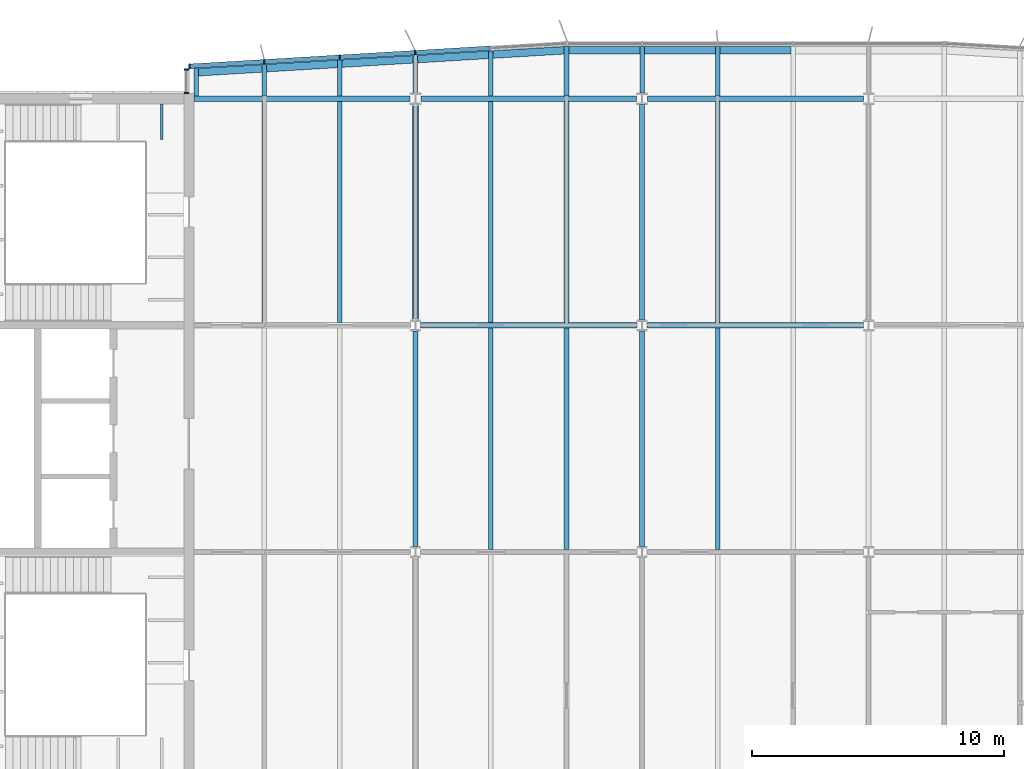
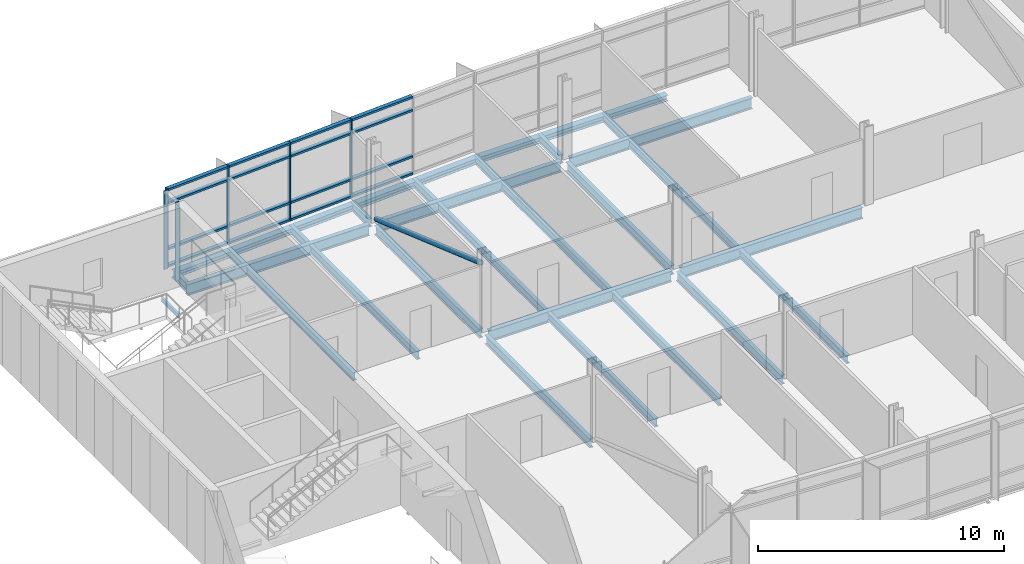
# One storey, part 4 of 17: 34 beams, 23 members, 2 elements without a shape of their own.
"""IFC4 building model written with IfcOpenShell, lengths in metres."""

from ifc_helpers import new_model, si_unit, direction, frame, origin, origin_2d, place, context, subcontext, project, spatial, rectangle, hollow_circle, i_section, extrude, material, material_profile, profile_set, type_object, element, aggregate, save


model = new_model("IFC4")

# Units and contexts
model_context = context("Model", 3, precision=1e-05, world=origin(), true_north=direction((0.0, 1.0)))
body_context = subcontext(model_context, "Body", "Model", "MODEL_VIEW")
ifc_project = project(units=[si_unit("LENGTHUNIT", "METRE"), si_unit("AREAUNIT", "SQUARE_METRE"), si_unit("VOLUMEUNIT", "CUBIC_METRE"), si_unit("PLANEANGLEUNIT", "RADIAN"), si_unit("MASSUNIT", "GRAM", prefix="KILO")], contexts=[model_context])

# Site, building, storey
site_placement = place(None, origin())
site = spatial("IfcSite", under=ifc_project, at=site_placement, CompositionType="ELEMENT")
building_placement = place(site_placement, origin())
building = spatial("IfcBuilding", under=site, at=building_placement, Name="Azimuth Sports and Learning Centre", CompositionType="ELEMENT")
storey_placement = place(building_placement, frame((0.0, 0.0, 36.300048828125)))
storey = spatial("IfcBuildingStorey", under=building, at=storey_placement, Name="L07", CompositionType="ELEMENT", Elevation=36.300048828125)

# Beams
ifc_material_1 = material(Name="Steel S355", Category="steel")
ifc_material_profile_1 = material_profile(ifc_material_1, i_section(OverallWidth=0.10009765625, OverallDepth=0.199951171875, WebThickness=0.005615234375, FlangeThickness=0.008544921875, FilletRadius=0.011962890625, at=origin_2d()), Name="IPE 200")
ifc_profile_set_1 = profile_set([ifc_material_profile_1], Name="Steel S355")
beam_type_1 = type_object("IfcBeamType", Name="Beam IPE 200", PredefinedType="BEAM", material=ifc_profile_set_1)
beam_1_placement = place(storey_placement, frame((61.9267578125, 116.800048828125, -0.300048828125), z_axis=(0.0, -1.0, 0.0), x_axis=(1.0, 0.0, 0.0)))
element("IfcBeam", 1, at=beam_1_placement, inside=storey, type_object=beam_type_1, Name="Landing bracket W2 L07 249", PredefinedType="BEAM", context=body_context, shape_type="SweptSolid", body=[
    extrude(i_section(OverallWidth=0.10009765625, OverallDepth=0.199951171875, WebThickness=0.005615234375, FlangeThickness=0.008544921875, FilletRadius=0.011962890625, at=origin_2d()), origin(), (0.0, 0.0, 1.0), 1.41015625),
])
ifc_material_2 = material(Name="Steel S355", Category="steel")
ifc_material_profile_2 = material_profile(ifc_material_2, i_section(OverallWidth=0.18994140625, OverallDepth=0.449951171875, WebThickness=0.009521484375, FlangeThickness=0.0146484375, FilletRadius=0.02099609375, at=origin_2d()), Name="IPE 450")
ifc_profile_set_2 = profile_set([ifc_material_profile_2], Name="Steel S355")
beam_type_2 = type_object("IfcBeamType", Name="Beam IPE 450", PredefinedType="BEAM", material=ifc_profile_set_2)
beam_2_placement = place(storey_placement, frame((72.0, 99.217529296875, -0.35498046875), z_axis=(0.0, 1.0, 0.0), x_axis=(-1.0, 0.0, 0.0)))
element("IfcBeam", 2, at=beam_2_placement, inside=storey, type_object=beam_type_2, Name="Tower tie", PredefinedType="BEAM", context=body_context, shape_type="SweptSolid", body=[
    extrude(i_section(OverallWidth=0.18994140625, OverallDepth=0.449951171875, WebThickness=0.009521484375, FlangeThickness=0.0146484375, FilletRadius=0.02099609375, at=origin_2d()), origin(), (0.0, 0.0, 1.0), 8.56494140625),
])
beam_3_placement = place(storey_placement, frame((72.0, 108.217529296875, -0.35498046875), z_axis=(0.0, 1.0, 0.0), x_axis=(-1.0, 0.0, 0.0)))
element("IfcBeam", 3, at=beam_3_placement, inside=storey, type_object=beam_type_2, Name="Tower tie", PredefinedType="BEAM", context=body_context, shape_type="SweptSolid", body=[
    extrude(i_section(OverallWidth=0.18994140625, OverallDepth=0.449951171875, WebThickness=0.009521484375, FlangeThickness=0.0146484375, FilletRadius=0.02099609375, at=origin_2d()), origin(), (0.0, 0.0, 1.0), 8.54541015625),
])
beam_4_placement = place(storey_placement, frame((81.0, 99.217529296875, -0.35498046875), z_axis=(0.0, 1.0, 0.0), x_axis=(-1.0, 0.0, 0.0)))
element("IfcBeam", 4, at=beam_4_placement, inside=storey, type_object=beam_type_2, Name="Tower tie", PredefinedType="BEAM", context=body_context, shape_type="SweptSolid", body=[
    extrude(i_section(OverallWidth=0.18994140625, OverallDepth=0.449951171875, WebThickness=0.009521484375, FlangeThickness=0.0146484375, FilletRadius=0.02099609375, at=origin_2d()), origin(), (0.0, 0.0, 1.0), 8.56494140625),
])
beam_5_placement = place(storey_placement, frame((81.0, 108.217529296875, -0.35498046875), z_axis=(0.0, 1.0, 0.0), x_axis=(-1.0, 0.0, 0.0)))
element("IfcBeam", 5, at=beam_5_placement, inside=storey, type_object=beam_type_2, Name="Tower tie", PredefinedType="BEAM", context=body_context, shape_type="SweptSolid", body=[
    extrude(i_section(OverallWidth=0.18994140625, OverallDepth=0.449951171875, WebThickness=0.009521484375, FlangeThickness=0.0146484375, FilletRadius=0.02099609375, at=origin_2d()), origin(), (0.0, 0.0, 1.0), 8.54541015625),
])
ifc_material_3 = material(Name="Steel S355", Category="steel")
ifc_material_profile_3 = material_profile(ifc_material_3, i_section(OverallWidth=0.2099609375, OverallDepth=0.550048828125, WebThickness=0.010986328125, FlangeThickness=0.01708984375, FilletRadius=0.02392578125, at=origin_2d()), Name="IPE 550")
ifc_profile_set_3 = profile_set([ifc_material_profile_3], Name="Steel S355")
beam_type_3 = type_object("IfcBeamType", Name="Beam IPE 550", PredefinedType="BEAM", material=ifc_profile_set_3)
for number, where, z_axis, x_axis, name in (
    (6, (72.2060546875, 108.0, -0.405029296875), (1.0, 0.0, 0.0), (0.0, 1.0, 0.0), "Tower girder L07"),
    (7, (81.2060546875, 108.0, -0.405029296875), (1.0, 0.0, 0.0), (0.0, 1.0, 0.0), "Tower girder L07"),
):
    element("IfcBeam", number, at=place(storey_placement, frame(where, z_axis=z_axis, x_axis=x_axis)), inside=storey, type_object=beam_type_3, Name=name, PredefinedType="BEAM", context=body_context, shape_type="SweptSolid", body=[
        extrude(i_section(OverallWidth=0.2099609375, OverallDepth=0.550048828125, WebThickness=0.010986328125, FlangeThickness=0.01708984375, FilletRadius=0.02392578125, at=origin_2d()), origin(), (0.0, 0.0, 1.0), 8.587890625),
    ])
beam_6_placement = place(storey_placement, frame((63.199951171875, 117.0, -0.405029296875), z_axis=(1.0, 0.0, 0.0), x_axis=(0.0, 1.0, 0.0)))
element("IfcBeam", 8, at=beam_6_placement, inside=storey, type_object=beam_type_3, Name="Tower girder L07", PredefinedType="BEAM", context=body_context, shape_type="SweptSolid", body=[
    extrude(i_section(OverallWidth=0.2099609375, OverallDepth=0.550048828125, WebThickness=0.010986328125, FlangeThickness=0.01708984375, FilletRadius=0.02392578125, at=origin_2d()), origin(), (0.0, 0.0, 1.0), 8.588134765625),
])
for number, where, z_axis, x_axis, name in (
    (9, (72.2119140625, 117.0, -0.405029296875), (1.0, 0.0, 0.0), (0.0, 1.0, 0.0), "Tower girder L07"),
    (10, (81.2119140625, 117.0, -0.405029296875), (1.0, 0.0, 0.0), (0.0, 1.0, 0.0), "Tower girder L07"),
):
    element("IfcBeam", number, at=place(storey_placement, frame(where, z_axis=z_axis, x_axis=x_axis)), inside=storey, type_object=beam_type_3, Name=name, PredefinedType="BEAM", context=body_context, shape_type="SweptSolid", body=[
        extrude(i_section(OverallWidth=0.2099609375, OverallDepth=0.550048828125, WebThickness=0.010986328125, FlangeThickness=0.01708984375, FilletRadius=0.02392578125, at=origin_2d()), origin(), (0.0, 0.0, 1.0), 8.576171875),
    ])

# Member
ifc_material_4 = material(Name="Steel S355", Category="steel")
ifc_material_profile_4 = material_profile(ifc_material_4, hollow_circle(Radius=0.122314453125, WallThickness=0.012451171875, at=origin_2d()), Name="CHS 244.5x12.5")
ifc_profile_set_4 = profile_set([ifc_material_profile_4], Name="Steel S355")
member_type_1 = type_object("IfcMemberType", Name="Brace CHS 244.5x12.5", PredefinedType="BRACE", material=ifc_profile_set_4)
member_1_placement = place(storey_placement, frame((72.0, 108.238037109375, 3.150634765625), z_axis=(0.0, 0.943699867633, -0.330802901785), x_axis=(-1.0, 0.0, 0.0)))
element("IfcMember", 11, at=member_1_placement, inside=storey, type_object=member_type_1, Name="Tower brace 9 L07", PredefinedType="BRACE", context=body_context, shape_type="SweptSolid", body=[
    extrude(hollow_circle(Radius=0.122314453125, WallThickness=0.012451171875, at=origin_2d()), origin(), (0.0, 0.0, 1.0), 9.011962890625),
])

# Beams
ifc_material_5 = material(Name="Steel S355", Category="steel")
ifc_material_profile_5 = material_profile(ifc_material_5, i_section(OverallWidth=0.179931640625, OverallDepth=0.39990234375, WebThickness=0.008544921875, FlangeThickness=0.013427734375, FilletRadius=0.02099609375, at=origin_2d()), Name="IPE 400")
ifc_profile_set_5 = profile_set([ifc_material_profile_5], Name="Steel S355")
beam_type_4 = type_object("IfcBeamType", Name="Cantilever stub IPE 400", PredefinedType="JOIST", material=ifc_profile_set_5)
beam_7_placement = place(storey_placement, frame((63.2900390625, 117.10498046875, -0.330078125), z_axis=(0.0, 1.0, 0.0), x_axis=(-1.0, 0.0, 0.0)))
element("IfcBeam", 12, at=beam_7_placement, inside=storey, type_object=beam_type_4, Name="Tower cantilever stub", PredefinedType="JOIST", context=body_context, shape_type="SweptSolid", body=[
    extrude(i_section(OverallWidth=0.179931640625, OverallDepth=0.39990234375, WebThickness=0.008544921875, FlangeThickness=0.013427734375, FilletRadius=0.02099609375, at=origin_2d()), origin(), (0.0, 0.0, 1.0), 1.092529296875),
])
beam_8_placement = place(storey_placement, frame((66.0, 117.10498046875, -0.330078125), z_axis=(0.0, 1.0, 0.0), x_axis=(-1.0, 0.0, 0.0)))
element("IfcBeam", 13, at=beam_8_placement, inside=storey, type_object=beam_type_4, Name="Tower cantilever stub", PredefinedType="JOIST", context=body_context, shape_type="SweptSolid", body=[
    extrude(i_section(OverallWidth=0.179931640625, OverallDepth=0.39990234375, WebThickness=0.008544921875, FlangeThickness=0.013427734375, FilletRadius=0.02099609375, at=origin_2d()), origin(), (0.0, 0.0, 1.0), 1.255126953125),
])
beam_9_placement = place(storey_placement, frame((69.0, 117.10498046875, -0.330078125), z_axis=(0.0, 1.0, 0.0), x_axis=(-1.0, 0.0, 0.0)))
element("IfcBeam", 14, at=beam_9_placement, inside=storey, type_object=beam_type_4, Name="Tower cantilever stub", PredefinedType="JOIST", context=body_context, shape_type="SweptSolid", body=[
    extrude(i_section(OverallWidth=0.179931640625, OverallDepth=0.39990234375, WebThickness=0.008544921875, FlangeThickness=0.013427734375, FilletRadius=0.02099609375, at=origin_2d()), origin(), (0.0, 0.0, 1.0), 1.43505859375),
])
beam_10_placement = place(storey_placement, frame((72.0, 117.237060546875, -0.330078125), z_axis=(0.0, 1.0, 0.0), x_axis=(-1.0, 0.0, 0.0)))
element("IfcBeam", 15, at=beam_10_placement, inside=storey, type_object=beam_type_4, Name="Tower cantilever stub", PredefinedType="JOIST", context=body_context, shape_type="SweptSolid", body=[
    extrude(i_section(OverallWidth=0.179931640625, OverallDepth=0.39990234375, WebThickness=0.008544921875, FlangeThickness=0.013427734375, FilletRadius=0.02099609375, at=origin_2d()), origin(), (0.0, 0.0, 1.0), 1.48291015625),
])
beam_11_placement = place(storey_placement, frame((75.0, 117.10498046875, -0.330078125), z_axis=(0.0, 1.0, 0.0), x_axis=(-1.0, 0.0, 0.0)))
element("IfcBeam", 16, at=beam_11_placement, inside=storey, type_object=beam_type_4, Name="Tower cantilever stub", PredefinedType="JOIST", context=body_context, shape_type="SweptSolid", body=[
    extrude(i_section(OverallWidth=0.179931640625, OverallDepth=0.39990234375, WebThickness=0.008544921875, FlangeThickness=0.013427734375, FilletRadius=0.02099609375, at=origin_2d()), origin(), (0.0, 0.0, 1.0), 1.794921875),
])
beam_12_placement = place(storey_placement, frame((78.0, 117.10498046875, -0.330078125), z_axis=(0.0, 1.0, 0.0), x_axis=(-1.0, 0.0, 0.0)))
element("IfcBeam", 17, at=beam_12_placement, inside=storey, type_object=beam_type_4, Name="Tower cantilever stub", PredefinedType="JOIST", context=body_context, shape_type="SweptSolid", body=[
    extrude(i_section(OverallWidth=0.179931640625, OverallDepth=0.39990234375, WebThickness=0.008544921875, FlangeThickness=0.013427734375, FilletRadius=0.02099609375, at=origin_2d()), origin(), (0.0, 0.0, 1.0), 1.97509765625),
])
beam_13_placement = place(storey_placement, frame((81.0, 117.237060546875, -0.330078125), z_axis=(0.0, 1.0, 0.0), x_axis=(-1.0, 0.0, 0.0)))
element("IfcBeam", 18, at=beam_13_placement, inside=storey, type_object=beam_type_4, Name="Tower cantilever stub", PredefinedType="JOIST", context=body_context, shape_type="SweptSolid", body=[
    extrude(i_section(OverallWidth=0.179931640625, OverallDepth=0.39990234375, WebThickness=0.008544921875, FlangeThickness=0.013427734375, FilletRadius=0.02099609375, at=origin_2d()), origin(), (0.0, 0.0, 1.0), 1.843017578125),
])
beam_14_placement = place(storey_placement, frame((84.0, 117.10498046875, -0.330078125), z_axis=(0.0, 1.0, 0.0), x_axis=(-1.0, 0.0, 0.0)))
element("IfcBeam", 19, at=beam_14_placement, inside=storey, type_object=beam_type_4, Name="Tower cantilever stub", PredefinedType="JOIST", context=body_context, shape_type="SweptSolid", body=[
    extrude(i_section(OverallWidth=0.179931640625, OverallDepth=0.39990234375, WebThickness=0.008544921875, FlangeThickness=0.013427734375, FilletRadius=0.02099609375, at=origin_2d()), origin(), (0.0, 0.0, 1.0), 1.97509765625),
])
ifc_material_6 = material(Name="Steel S355", Category="steel")
ifc_material_profile_6 = material_profile(ifc_material_6, i_section(OverallWidth=0.300048828125, OverallDepth=0.2900390625, WebThickness=0.008544921875, FlangeThickness=0.013916015625, FilletRadius=0.027099609375, at=origin_2d()), Name="HEA 300")
ifc_profile_set_6 = profile_set([ifc_material_profile_6], Name="Steel S355")
beam_type_5 = type_object("IfcBeamType", Name="Edge beam HEA 300", PredefinedType="SPANDREL", material=ifc_profile_set_6)
beam_15_placement = place(storey_placement, frame((63.3798828125, 118.052734375, -0.275146484375), z_axis=(0.998203578329, 0.059913405937, 0.0), x_axis=(-0.059913405937, 0.998203578329, 0.0)))
element("IfcBeam", 20, at=beam_15_placement, inside=storey, type_object=beam_type_5, Name="Tower edge beam", PredefinedType="SPANDREL", context=body_context, shape_type="SweptSolid", body=[
    extrude(i_section(OverallWidth=0.300048828125, OverallDepth=0.2900390625, WebThickness=0.008544921875, FlangeThickness=0.013916015625, FilletRadius=0.027099609375, at=origin_2d()), origin(), (0.0, 0.0, 1.0), 2.53466796875),
])
for number, where, z_axis, x_axis, name in (
    (21, (66.090087890625, 118.21533203125, -0.275146484375), (0.998204845466, 0.059892290728, 0.0), (-0.059892290728, 0.998204845466, 0.0), "Tower edge beam"),
    (22, (69.090087890625, 118.3955078125, -0.275146484375), (0.998204845466, 0.059892290728, 0.0), (-0.059892290728, 0.998204845466, 0.0), "Tower edge beam"),
    (23, (72.090087890625, 118.575439453125, -0.275146484375), (0.998204845466, 0.059892290728, 0.0), (-0.059892290728, 0.998204845466, 0.0), "Tower edge beam"),
    (24, (75.090087890625, 118.75537109375, -0.275146484375), (0.998204845466, 0.059892290728, 0.0), (-0.059892290728, 0.998204845466, 0.0), "Tower edge beam"),
):
    element("IfcBeam", number, at=place(storey_placement, frame(where, z_axis=z_axis, x_axis=x_axis)), inside=storey, type_object=beam_type_5, Name=name, PredefinedType="SPANDREL", context=body_context, shape_type="SweptSolid", body=[
        extrude(i_section(OverallWidth=0.300048828125, OverallDepth=0.2900390625, WebThickness=0.008544921875, FlangeThickness=0.013916015625, FilletRadius=0.027099609375, at=origin_2d()), origin(), (0.0, 0.0, 1.0), 2.824951171875),
    ])
for number, where, z_axis, x_axis, name in (
    (25, (78.090087890625, 118.929931640625, -0.275146484375), (1.0, 0.0, 0.0), (0.0, 1.0, 0.0), "Tower edge beam"),
    (26, (81.090087890625, 118.929931640625, -0.275146484375), (1.0, 0.0, 0.0), (0.0, 1.0, 0.0), "Tower edge beam"),
    (27, (84.090087890625, 118.929931640625, -0.275146484375), (1.0, 0.0, 0.0), (0.0, 1.0, 0.0), "Tower edge beam"),
):
    element("IfcBeam", number, at=place(storey_placement, frame(where, z_axis=z_axis, x_axis=x_axis)), inside=storey, type_object=beam_type_5, Name=name, PredefinedType="SPANDREL", context=body_context, shape_type="SweptSolid", body=[
        extrude(i_section(OverallWidth=0.300048828125, OverallDepth=0.2900390625, WebThickness=0.008544921875, FlangeThickness=0.013916015625, FilletRadius=0.027099609375, at=origin_2d()), origin(), (0.0, 0.0, 1.0), 2.81982421875),
    ])
ifc_material_7 = material(Name="Steel S355", Category="steel")
ifc_material_profile_7 = material_profile(ifc_material_7, i_section(OverallWidth=0.179931640625, OverallDepth=0.39990234375, WebThickness=0.008544921875, FlangeThickness=0.013427734375, FilletRadius=0.02099609375, at=origin_2d()), Name="IPE 400")
ifc_profile_set_7 = profile_set([ifc_material_profile_7], Name="Steel S355")
beam_type_6 = type_object("IfcBeamType", Name="Joist IPE 400", PredefinedType="JOIST", material=ifc_profile_set_7)
for number, where, z_axis, x_axis, name in (
    (28, (66.0, 108.10498046875, -0.330078125), (0.0, 1.0, 0.0), (-1.0, 0.0, 0.0), "Tower joist"),
    (29, (69.0, 108.10498046875, -0.330078125), (0.0, 1.0, 0.0), (-1.0, 0.0, 0.0), "Tower joist"),
    (30, (75.0, 99.10498046875, -0.330078125), (0.0, 1.0, 0.0), (-1.0, 0.0, 0.0), "Tower joist"),
    (31, (75.0, 108.10498046875, -0.330078125), (0.0, 1.0, 0.0), (-1.0, 0.0, 0.0), "Tower joist"),
    (32, (78.0, 99.10498046875, -0.330078125), (0.0, 1.0, 0.0), (-1.0, 0.0, 0.0), "Tower joist"),
    (33, (78.0, 108.10498046875, -0.330078125), (0.0, 1.0, 0.0), (-1.0, 0.0, 0.0), "Tower joist"),
    (34, (84.0, 99.10498046875, -0.330078125), (0.0, 1.0, 0.0), (-1.0, 0.0, 0.0), "Tower joist"),
    (35, (84.0, 108.10498046875, -0.330078125), (0.0, 1.0, 0.0), (-1.0, 0.0, 0.0), "Tower joist"),
):
    element("IfcBeam", number, at=place(storey_placement, frame(where, z_axis=z_axis, x_axis=x_axis)), inside=storey, type_object=beam_type_6, Name=name, PredefinedType="JOIST", context=body_context, shape_type="SweptSolid", body=[
        extrude(i_section(OverallWidth=0.179931640625, OverallDepth=0.39990234375, WebThickness=0.008544921875, FlangeThickness=0.013427734375, FilletRadius=0.02099609375, at=origin_2d()), origin(), (0.0, 0.0, 1.0), 8.7900390625),
    ])

# Curtain wall, members
ifc_material_8 = material(Name="Aluminium and glass", Category="aluminium")
curtain_wall_type_1 = type_object("IfcCurtainWallType", Name="Curtain wall tower north 180", PredefinedType="NOTDEFINED", material=ifc_material_8)
curtain_wall_1_placement = place(storey_placement, origin())
curtain_wall_1 = element("IfcCurtainWall", 36, at=curtain_wall_1_placement, inside=storey, type_object=curtain_wall_type_1, Name="Curtain wall CW07-009", PredefinedType="NOTDEFINED")
ifc_material_9 = material(Name="Aluminium", Category="aluminium")
ifc_material_profile_8 = material_profile(ifc_material_9, rectangle(XDim=0.179931640625, YDim=0.06005859375, at=origin_2d()), Name="Mullion 60x180")
ifc_profile_set_8 = profile_set([ifc_material_profile_8], Name="Aluminium")
member_type_2 = type_object("IfcMemberType", Name="Mullion 60x180", PredefinedType="MULLION", material=ifc_profile_set_8)
member_2_placement = place(storey_placement, frame((71.99462890625, 118.829833984375, 0.0), z_axis=(0.0, 0.0, 1.0), x_axis=(0.059891991812, -0.998204863401, 0.0)))
member_2 = element("IfcMember", 37, at=member_2_placement, type_object=member_type_2, Name="CW07-009 mullion 3", PredefinedType="MULLION", context=body_context, shape_type="SweptSolid", body=[
    extrude(rectangle(XDim=0.179931640625, YDim=0.06005859375, at=origin_2d()), origin(), (0.0, 0.0, 1.0), 3.89990234375),
])
member_3_placement = place(storey_placement, frame((68.99462890625, 118.64990234375, 0.0), z_axis=(0.0, 0.0, 1.0), x_axis=(0.059891991812, -0.998204863401, 0.0)))
member_3 = element("IfcMember", 38, at=member_3_placement, type_object=member_type_2, Name="CW07-009 mullion 4", PredefinedType="MULLION", context=body_context, shape_type="SweptSolid", body=[
    extrude(rectangle(XDim=0.179931640625, YDim=0.06005859375, at=origin_2d()), origin(), (0.0, 0.0, 1.0), 3.89990234375),
])
member_4_placement = place(storey_placement, frame((65.99462890625, 118.4697265625, 0.0), z_axis=(0.0, 0.0, 1.0), x_axis=(0.059891991812, -0.998204863401, 0.0)))
member_4 = element("IfcMember", 39, at=member_4_placement, type_object=member_type_2, Name="CW07-009 mullion 5", PredefinedType="MULLION", context=body_context, shape_type="SweptSolid", body=[
    extrude(rectangle(XDim=0.179931640625, YDim=0.06005859375, at=origin_2d()), origin(), (0.0, 0.0, 1.0), 3.89990234375),
])
member_5_placement = place(storey_placement, frame((63.024658203125, 118.291748046875, 0.0), z_axis=(0.0, 0.0, 1.0), x_axis=(0.059891991812, -0.998204863401, 0.0)))
member_5 = element("IfcMember", 40, at=member_5_placement, type_object=member_type_2, Name="CW07-009 mullion 6", PredefinedType="MULLION", context=body_context, shape_type="SweptSolid", body=[
    extrude(rectangle(XDim=0.179931640625, YDim=0.06005859375, at=origin_2d()), origin(), (0.0, 0.0, 1.0), 3.89990234375),
])

ifc_material_10 = material(Name="Aluminium and glass", Category="aluminium")
curtain_wall_type_2 = type_object("IfcCurtainWallType", Name="Curtain wall tower return 180", PredefinedType="NOTDEFINED", material=ifc_material_10)
curtain_wall_2_placement = place(storey_placement, origin())
curtain_wall_2 = element("IfcCurtainWall", 41, at=curtain_wall_2_placement, inside=storey, type_object=curtain_wall_type_2, Name="Curtain wall CW07-010", PredefinedType="NOTDEFINED")
member_6_placement = place(storey_placement, frame((62.909912109375, 118.169921875, 0.0), z_axis=(0.0, 0.0, 1.0), x_axis=(1.0, 0.0, 0.0)))
member_6 = element("IfcMember", 42, at=member_6_placement, type_object=member_type_2, Name="CW07-010 mullion 1", PredefinedType="MULLION", context=body_context, shape_type="SweptSolid", body=[
    extrude(rectangle(XDim=0.179931640625, YDim=0.06005859375, at=origin_2d()), origin(), (0.0, 0.0, 1.0), 3.89990234375),
])
member_7_placement = place(storey_placement, frame((62.909912109375, 117.22998046875, 0.0), z_axis=(0.0, 0.0, 1.0), x_axis=(1.0, 0.0, 0.0)))
member_7 = element("IfcMember", 43, at=member_7_placement, type_object=member_type_2, Name="CW07-010 mullion 2", PredefinedType="MULLION", context=body_context, shape_type="SweptSolid", body=[
    extrude(rectangle(XDim=0.179931640625, YDim=0.06005859375, at=origin_2d()), origin(), (0.0, 0.0, 1.0), 3.89990234375),
])
aggregate(curtain_wall_2, [member_6, member_7])

# Member
ifc_material_11 = material(Name="Aluminium", Category="aluminium")
ifc_material_profile_9 = material_profile(ifc_material_11, rectangle(XDim=0.179931640625, YDim=0.10009765625, at=origin_2d()), Name="Transom 100x180")
ifc_profile_set_9 = profile_set([ifc_material_profile_9], Name="Aluminium")
member_type_3 = type_object("IfcMemberType", Name="Transom 100x180", PredefinedType="USERDEFINED", material=ifc_profile_set_9)
member_8_placement = place(storey_placement, frame((74.964599609375, 119.008056640625, 0.050048828125), z_axis=(-0.998202465912, -0.059931936792, 0.0), x_axis=(0.059931936792, -0.998202465912, 0.0)))
member_8 = element("IfcMember", 44, at=member_8_placement, type_object=member_type_3, Name="CW07-009 transom 2.1", ObjectType="TRANSOM", PredefinedType="USERDEFINED", context=body_context, shape_type="SweptSolid", body=[
    extrude(rectangle(XDim=0.179931640625, YDim=0.10009765625, at=origin_2d()), origin(), (0.0, 0.0, 1.0), 2.9453125),
])

member_9_placement = place(storey_placement, frame((74.964599609375, 119.008056640625, 0.89990234375), z_axis=(-0.998202465912, -0.059931936792, 0.0), x_axis=(0.059931936792, -0.998202465912, 0.0)))
member_9 = element("IfcMember", 45, at=member_9_placement, type_object=member_type_3, Name="CW07-009 transom 2.2", ObjectType="TRANSOM", PredefinedType="USERDEFINED", context=body_context, shape_type="SweptSolid", body=[
    extrude(rectangle(XDim=0.179931640625, YDim=0.10009765625, at=origin_2d()), origin(), (0.0, 0.0, 1.0), 2.9453125),
])

member_10_placement = place(storey_placement, frame((74.964599609375, 119.008056640625, 3.199951171875), z_axis=(-0.998202465912, -0.059931936792, 0.0), x_axis=(0.059931936792, -0.998202465912, 0.0)))
member_10 = element("IfcMember", 46, at=member_10_placement, type_object=member_type_3, Name="CW07-009 transom 2.3", ObjectType="TRANSOM", PredefinedType="USERDEFINED", context=body_context, shape_type="SweptSolid", body=[
    extrude(rectangle(XDim=0.179931640625, YDim=0.10009765625, at=origin_2d()), origin(), (0.0, 0.0, 1.0), 2.9453125),
])

member_11_placement = place(storey_placement, frame((74.964599609375, 119.008056640625, 3.849853515625), z_axis=(-0.998202465912, -0.059931936792, 0.0), x_axis=(0.059931936792, -0.998202465912, 0.0)))
member_11 = element("IfcMember", 47, at=member_11_placement, type_object=member_type_3, Name="CW07-009 transom 2.4", ObjectType="TRANSOM", PredefinedType="USERDEFINED", context=body_context, shape_type="SweptSolid", body=[
    extrude(rectangle(XDim=0.179931640625, YDim=0.10009765625, at=origin_2d()), origin(), (0.0, 0.0, 1.0), 2.9453125),
])

member_12_placement = place(storey_placement, frame((71.964599609375, 118.828125, 0.050048828125), z_axis=(-0.998202465912, -0.059931936792, 0.0), x_axis=(0.059931936792, -0.998202465912, 0.0)))
member_12 = element("IfcMember", 48, at=member_12_placement, type_object=member_type_3, Name="CW07-009 transom 3.1", ObjectType="TRANSOM", PredefinedType="USERDEFINED", context=body_context, shape_type="SweptSolid", body=[
    extrude(rectangle(XDim=0.179931640625, YDim=0.10009765625, at=origin_2d()), origin(), (0.0, 0.0, 1.0), 2.9453125),
])

member_13_placement = place(storey_placement, frame((71.964599609375, 118.828125, 0.89990234375), z_axis=(-0.998202465912, -0.059931936792, 0.0), x_axis=(0.059931936792, -0.998202465912, 0.0)))
member_13 = element("IfcMember", 49, at=member_13_placement, type_object=member_type_3, Name="CW07-009 transom 3.2", ObjectType="TRANSOM", PredefinedType="USERDEFINED", context=body_context, shape_type="SweptSolid", body=[
    extrude(rectangle(XDim=0.179931640625, YDim=0.10009765625, at=origin_2d()), origin(), (0.0, 0.0, 1.0), 2.9453125),
])

member_14_placement = place(storey_placement, frame((71.964599609375, 118.828125, 3.199951171875), z_axis=(-0.998202465912, -0.059931936792, 0.0), x_axis=(0.059931936792, -0.998202465912, 0.0)))
member_14 = element("IfcMember", 50, at=member_14_placement, type_object=member_type_3, Name="CW07-009 transom 3.3", ObjectType="TRANSOM", PredefinedType="USERDEFINED", context=body_context, shape_type="SweptSolid", body=[
    extrude(rectangle(XDim=0.179931640625, YDim=0.10009765625, at=origin_2d()), origin(), (0.0, 0.0, 1.0), 2.9453125),
])

member_15_placement = place(storey_placement, frame((71.964599609375, 118.828125, 3.849853515625), z_axis=(-0.998202465912, -0.059931936792, 0.0), x_axis=(0.059931936792, -0.998202465912, 0.0)))
member_15 = element("IfcMember", 51, at=member_15_placement, type_object=member_type_3, Name="CW07-009 transom 3.4", ObjectType="TRANSOM", PredefinedType="USERDEFINED", context=body_context, shape_type="SweptSolid", body=[
    extrude(rectangle(XDim=0.179931640625, YDim=0.10009765625, at=origin_2d()), origin(), (0.0, 0.0, 1.0), 2.9453125),
])

member_16_placement = place(storey_placement, frame((68.964599609375, 118.64794921875, 0.050048828125), z_axis=(-0.998207421552, -0.059849340505, 0.0), x_axis=(0.059849340505, -0.998207421552, 0.0)))
member_16 = element("IfcMember", 52, at=member_16_placement, type_object=member_type_3, Name="CW07-009 transom 4.1", ObjectType="TRANSOM", PredefinedType="USERDEFINED", context=body_context, shape_type="SweptSolid", body=[
    extrude(rectangle(XDim=0.179931640625, YDim=0.10009765625, at=origin_2d()), origin(), (0.0, 0.0, 1.0), 2.9453125),
])

member_17_placement = place(storey_placement, frame((68.964599609375, 118.64794921875, 0.89990234375), z_axis=(-0.998207421552, -0.059849340505, 0.0), x_axis=(0.059849340505, -0.998207421552, 0.0)))
member_17 = element("IfcMember", 53, at=member_17_placement, type_object=member_type_3, Name="CW07-009 transom 4.2", ObjectType="TRANSOM", PredefinedType="USERDEFINED", context=body_context, shape_type="SweptSolid", body=[
    extrude(rectangle(XDim=0.179931640625, YDim=0.10009765625, at=origin_2d()), origin(), (0.0, 0.0, 1.0), 2.9453125),
])

member_18_placement = place(storey_placement, frame((68.964599609375, 118.64794921875, 3.199951171875), z_axis=(-0.998207421552, -0.059849340505, 0.0), x_axis=(0.059849340505, -0.998207421552, 0.0)))
member_18 = element("IfcMember", 54, at=member_18_placement, type_object=member_type_3, Name="CW07-009 transom 4.3", ObjectType="TRANSOM", PredefinedType="USERDEFINED", context=body_context, shape_type="SweptSolid", body=[
    extrude(rectangle(XDim=0.179931640625, YDim=0.10009765625, at=origin_2d()), origin(), (0.0, 0.0, 1.0), 2.9453125),
])

member_19_placement = place(storey_placement, frame((68.964599609375, 118.64794921875, 3.849853515625), z_axis=(-0.998207421552, -0.059849340505, 0.0), x_axis=(0.059849340505, -0.998207421552, 0.0)))
member_19 = element("IfcMember", 55, at=member_19_placement, type_object=member_type_3, Name="CW07-009 transom 4.4", ObjectType="TRANSOM", PredefinedType="USERDEFINED", context=body_context, shape_type="SweptSolid", body=[
    extrude(rectangle(XDim=0.179931640625, YDim=0.10009765625, at=origin_2d()), origin(), (0.0, 0.0, 1.0), 2.9453125),
])

member_20_placement = place(storey_placement, frame((65.964599609375, 118.468017578125, 0.050048828125), z_axis=(-0.998205846627, -0.059875602377, 0.0), x_axis=(0.059875602377, -0.998205846627, 0.0)))
member_20 = element("IfcMember", 56, at=member_20_placement, type_object=member_type_3, Name="CW07-009 transom 5.1", ObjectType="TRANSOM", PredefinedType="USERDEFINED", context=body_context, shape_type="SweptSolid", body=[
    extrude(rectangle(XDim=0.179931640625, YDim=0.10009765625, at=origin_2d()), origin(), (0.0, 0.0, 1.0), 2.915283203125),
])

member_21_placement = place(storey_placement, frame((65.964599609375, 118.468017578125, 0.89990234375), z_axis=(-0.998205846627, -0.059875602377, 0.0), x_axis=(0.059875602377, -0.998205846627, 0.0)))
member_21 = element("IfcMember", 57, at=member_21_placement, type_object=member_type_3, Name="CW07-009 transom 5.2", ObjectType="TRANSOM", PredefinedType="USERDEFINED", context=body_context, shape_type="SweptSolid", body=[
    extrude(rectangle(XDim=0.179931640625, YDim=0.10009765625, at=origin_2d()), origin(), (0.0, 0.0, 1.0), 2.915283203125),
])

member_22_placement = place(storey_placement, frame((65.964599609375, 118.468017578125, 3.199951171875), z_axis=(-0.998205846627, -0.059875602377, 0.0), x_axis=(0.059875602377, -0.998205846627, 0.0)))
member_22 = element("IfcMember", 58, at=member_22_placement, type_object=member_type_3, Name="CW07-009 transom 5.3", ObjectType="TRANSOM", PredefinedType="USERDEFINED", context=body_context, shape_type="SweptSolid", body=[
    extrude(rectangle(XDim=0.179931640625, YDim=0.10009765625, at=origin_2d()), origin(), (0.0, 0.0, 1.0), 2.915283203125),
])

member_23_placement = place(storey_placement, frame((65.964599609375, 118.468017578125, 3.849853515625), z_axis=(-0.998205846627, -0.059875602377, 0.0), x_axis=(0.059875602377, -0.998205846627, 0.0)))
member_23 = element("IfcMember", 59, at=member_23_placement, type_object=member_type_3, Name="CW07-009 transom 5.4", ObjectType="TRANSOM", PredefinedType="USERDEFINED", context=body_context, shape_type="SweptSolid", body=[
    extrude(rectangle(XDim=0.179931640625, YDim=0.10009765625, at=origin_2d()), origin(), (0.0, 0.0, 1.0), 2.915283203125),
])

aggregate(curtain_wall_1, [member_2, member_3, member_4, member_5, member_8, member_9, member_10, member_11, member_12, member_13, member_14, member_15, member_16, member_17, member_18, member_19, member_20, member_21, member_22, member_23])

save(model, "model.ifc")
